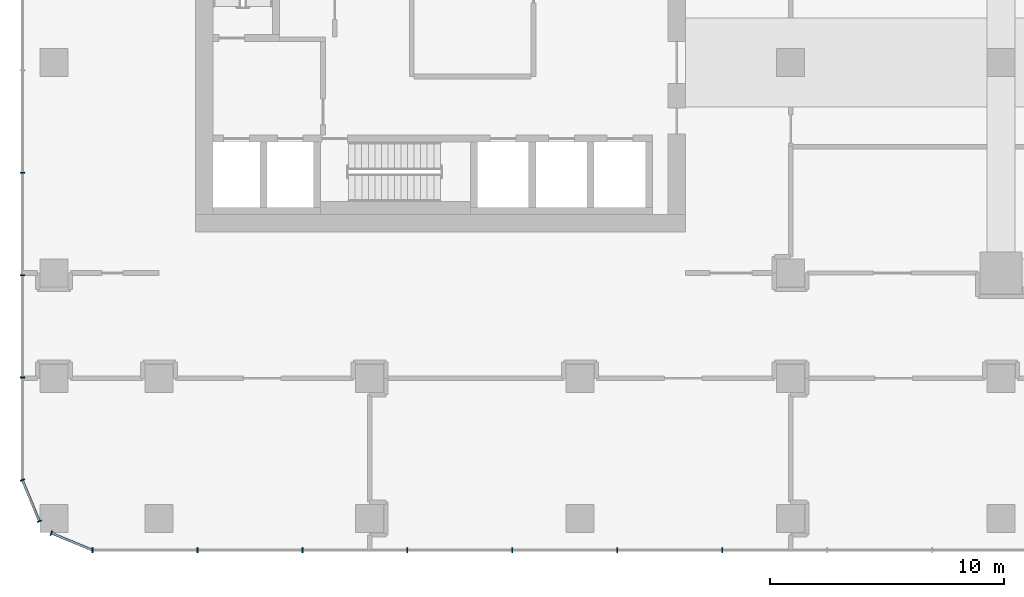
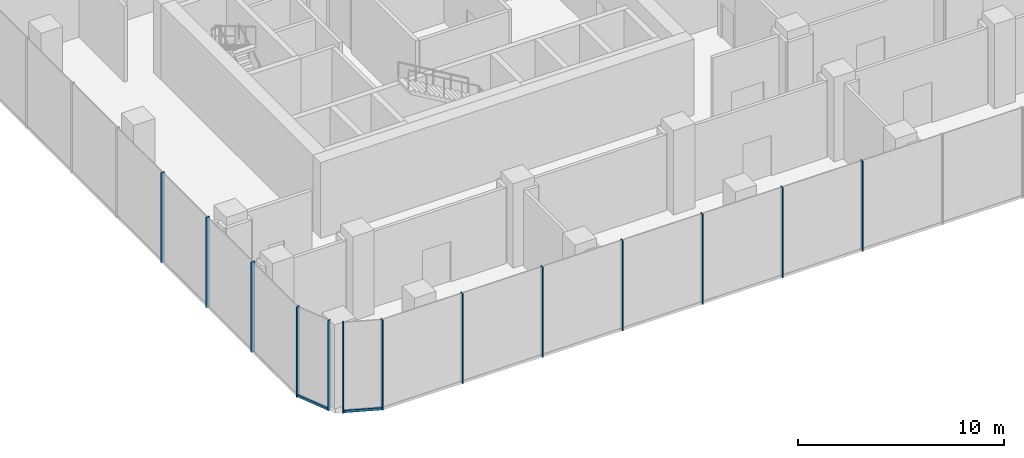
# One storey, part 2 of 36: 15 members, 4 elements without a shape of their own.
"""IFC4 building model written with IfcOpenShell, lengths in metres."""

from ifc_helpers import new_model, si_unit, direction, frame, origin, origin_2d, place, context, subcontext, project, spatial, rectangle, extrude, material, layer, layer_set, material_profile, profile_set, type_object, element, aggregate, save


model = new_model("IFC4")

# Units and contexts
model_context = context("Model", 3, precision=1e-05, world=origin(), true_north=direction((0.0, 1.0)))
body_context = subcontext(model_context, "Body", "Model", "MODEL_VIEW")
ifc_project = project(units=[si_unit("LENGTHUNIT", "METRE"), si_unit("AREAUNIT", "SQUARE_METRE"), si_unit("VOLUMEUNIT", "CUBIC_METRE"), si_unit("PLANEANGLEUNIT", "RADIAN"), si_unit("MASSUNIT", "GRAM", prefix="KILO")], contexts=[model_context])

# Site, building, storey
site_placement = place(None, origin())
site = spatial("IfcSite", under=ifc_project, at=site_placement, CompositionType="ELEMENT")
building_placement = place(site_placement, origin())
building = spatial("IfcBuilding", under=site, at=building_placement, Name="Plateau Cross Towers", CompositionType="ELEMENT")
storey_placement = place(building_placement, frame((0.0, 0.0, 21.800048828125)))
storey = spatial("IfcBuildingStorey", under=building, at=storey_placement, Name="L04", CompositionType="ELEMENT", Elevation=21.800048828125)

# Curtain wall, members
ifc_material_1 = material(Name="Dark low-iron laminated glass", Category="glass")
ifc_layer = layer(ifc_material_1, 0.300048828125)
ifc_layer_set = layer_set([ifc_layer], Name="Dark low-iron laminated glass")
curtain_wall_type = type_object("IfcCurtainWallType", Name="Curtain wall structural silicone CW-C", PredefinedType="NOTDEFINED", material=ifc_layer_set)
curtain_wall_1_placement = place(storey_placement, origin())
curtain_wall_1 = element("IfcCurtainWall", 1, at=curtain_wall_1_placement, inside=storey, type_object=curtain_wall_type, Name="ENV/P/L04/P-28_-118", PredefinedType="NOTDEFINED")
ifc_material_2 = material(Name="Black anodised aluminium", Category="aluminium")
ifc_material_profile_1 = material_profile(ifc_material_2, rectangle(XDim=0.050048828125, YDim=0.199951171875, at=origin_2d()), Name="MULLION 50x200")
ifc_profile_set_1 = profile_set([ifc_material_profile_1], Name="Black anodised aluminium")
member_type_1 = type_object("IfcMemberType", Name="Mullion 50x200 structural silicone", PredefinedType="MULLION", material=ifc_profile_set_1)
member_1_placement = place(storey_placement, frame((-2.85009765625, -11.85009765625, -0.35009765625), z_axis=(0.0, 0.0, 1.0), x_axis=(1.0, 0.0, 0.0)))
member_1 = element("IfcMember", 2, at=member_1_placement, type_object=member_type_1, Name="CW-C mullion 1", PredefinedType="MULLION", context=body_context, shape_type="SweptSolid", body=[
    extrude(rectangle(XDim=0.050048828125, YDim=0.199951171875, at=origin_2d()), origin(), (0.0, 0.0, 1.0), 5.35009765625),
])
member_2_placement = place(storey_placement, frame((1.637451171875, -11.85009765625, -0.35009765625), z_axis=(0.0, 0.0, 1.0), x_axis=(1.0, 0.0, 0.0)))
member_2 = element("IfcMember", 3, at=member_2_placement, type_object=member_type_1, Name="CW-C mullion 2", PredefinedType="MULLION", context=body_context, shape_type="SweptSolid", body=[
    extrude(rectangle(XDim=0.050048828125, YDim=0.199951171875, at=origin_2d()), origin(), (0.0, 0.0, 1.0), 5.35009765625),
])
member_3_placement = place(storey_placement, frame((6.125, -11.85009765625, -0.35009765625), z_axis=(0.0, 0.0, 1.0), x_axis=(1.0, 0.0, 0.0)))
member_3 = element("IfcMember", 4, at=member_3_placement, type_object=member_type_1, Name="CW-C mullion 3", PredefinedType="MULLION", context=body_context, shape_type="SweptSolid", body=[
    extrude(rectangle(XDim=0.050048828125, YDim=0.199951171875, at=origin_2d()), origin(), (0.0, 0.0, 1.0), 5.35009765625),
])
member_4_placement = place(storey_placement, frame((10.612548828125, -11.85009765625, -0.35009765625), z_axis=(0.0, 0.0, 1.0), x_axis=(1.0, 0.0, 0.0)))
member_4 = element("IfcMember", 5, at=member_4_placement, type_object=member_type_1, Name="CW-C mullion 4", PredefinedType="MULLION", context=body_context, shape_type="SweptSolid", body=[
    extrude(rectangle(XDim=0.050048828125, YDim=0.199951171875, at=origin_2d()), origin(), (0.0, 0.0, 1.0), 5.35009765625),
])
member_5_placement = place(storey_placement, frame((15.10009765625, -11.85009765625, -0.35009765625), z_axis=(0.0, 0.0, 1.0), x_axis=(1.0, 0.0, 0.0)))
member_5 = element("IfcMember", 6, at=member_5_placement, type_object=member_type_1, Name="CW-C mullion 5", PredefinedType="MULLION", context=body_context, shape_type="SweptSolid", body=[
    extrude(rectangle(XDim=0.050048828125, YDim=0.199951171875, at=origin_2d()), origin(), (0.0, 0.0, 1.0), 5.35009765625),
])
member_6_placement = place(storey_placement, frame((19.58740234375, -11.85009765625, -0.35009765625), z_axis=(0.0, 0.0, 1.0), x_axis=(1.0, 0.0, 0.0)))
member_6 = element("IfcMember", 7, at=member_6_placement, type_object=member_type_1, Name="CW-C mullion 6", PredefinedType="MULLION", context=body_context, shape_type="SweptSolid", body=[
    extrude(rectangle(XDim=0.050048828125, YDim=0.199951171875, at=origin_2d()), origin(), (0.0, 0.0, 1.0), 5.35009765625),
])
member_7_placement = place(storey_placement, frame((24.074951171875, -11.85009765625, -0.35009765625), z_axis=(0.0, 0.0, 1.0), x_axis=(1.0, 0.0, 0.0)))
member_7 = element("IfcMember", 8, at=member_7_placement, type_object=member_type_1, Name="CW-C mullion 7", PredefinedType="MULLION", context=body_context, shape_type="SweptSolid", body=[
    extrude(rectangle(XDim=0.050048828125, YDim=0.199951171875, at=origin_2d()), origin(), (0.0, 0.0, 1.0), 5.35009765625),
])
aggregate(curtain_wall_1, [member_1, member_2, member_3, member_4, member_5, member_6, member_7])

curtain_wall_2_placement = place(storey_placement, origin())
curtain_wall_2 = element("IfcCurtainWall", 9, at=curtain_wall_2_placement, inside=storey, type_object=curtain_wall_type, Name="ENV/P/L04/P-58_568", PredefinedType="NOTDEFINED")
member_8_placement = place(storey_placement, frame((-5.85009765625, 4.2900390625, -0.35009765625), z_axis=(0.0, 0.0, 1.0), x_axis=(0.0, -1.0, 0.0)))
member_8 = element("IfcMember", 10, at=member_8_placement, type_object=member_type_1, Name="CW-C mullion 13", PredefinedType="MULLION", context=body_context, shape_type="SweptSolid", body=[
    extrude(rectangle(XDim=0.050048828125, YDim=0.199951171875, at=origin_2d()), origin(), (0.0, 0.0, 1.0), 5.35009765625),
])
member_9_placement = place(storey_placement, frame((-5.85009765625, -0.090087890625, -0.35009765625), z_axis=(0.0, 0.0, 1.0), x_axis=(0.0, -1.0, 0.0)))
member_9 = element("IfcMember", 11, at=member_9_placement, type_object=member_type_1, Name="CW-C mullion 14", PredefinedType="MULLION", context=body_context, shape_type="SweptSolid", body=[
    extrude(rectangle(XDim=0.050048828125, YDim=0.199951171875, at=origin_2d()), origin(), (0.0, 0.0, 1.0), 5.35009765625),
])
member_10_placement = place(storey_placement, frame((-5.85009765625, -4.469970703125, -0.35009765625), z_axis=(0.0, 0.0, 1.0), x_axis=(0.0, -1.0, 0.0)))
member_10 = element("IfcMember", 12, at=member_10_placement, type_object=member_type_1, Name="CW-C mullion 15", PredefinedType="MULLION", context=body_context, shape_type="SweptSolid", body=[
    extrude(rectangle(XDim=0.050048828125, YDim=0.199951171875, at=origin_2d()), origin(), (0.0, 0.0, 1.0), 5.35009765625),
])
aggregate(curtain_wall_2, [member_8, member_9, member_10])

curtain_wall_3_placement = place(storey_placement, origin())
curtain_wall_3 = element("IfcCurtainWall", 13, at=curtain_wall_3_placement, inside=storey, type_object=curtain_wall_type, Name="ENV/P/L04/P-58_-88", PredefinedType="NOTDEFINED")
member_11_placement = place(storey_placement, frame((-5.85009765625, -8.85009765625, -0.35009765625), z_axis=(0.0, 0.0, 1.0), x_axis=(0.382683612978, -0.923879457699, 0.0)))
member_11 = element("IfcMember", 14, at=member_11_placement, type_object=member_type_1, Name="CW-C mullion 1", PredefinedType="MULLION", context=body_context, shape_type="SweptSolid", body=[
    extrude(rectangle(XDim=0.050048828125, YDim=0.199951171875, at=origin_2d()), origin(), (0.0, 0.0, 1.0), 5.35009765625),
])
member_12_placement = place(storey_placement, frame((-5.1201171875, -10.6123046875, -0.35009765625), z_axis=(0.0, 0.0, 1.0), x_axis=(0.382683612978, -0.923879457699, 0.0)))
member_12 = element("IfcMember", 15, at=member_12_placement, type_object=member_type_1, Name="CW-C mullion 2", PredefinedType="MULLION", context=body_context, shape_type="SweptSolid", body=[
    extrude(rectangle(XDim=0.050048828125, YDim=0.199951171875, at=origin_2d()), origin(), (0.0, 0.0, 1.0), 5.35009765625),
])

# Curtain wall, member
curtain_wall_4_placement = place(storey_placement, origin())
curtain_wall_4 = element("IfcCurtainWall", 16, at=curtain_wall_4_placement, inside=storey, type_object=curtain_wall_type, Name="ENV/P/L04/P-46_-111", PredefinedType="NOTDEFINED")
member_13_placement = place(storey_placement, frame((-4.6123046875, -11.1201171875, -0.35009765625), z_axis=(0.0, 0.0, 1.0), x_axis=(0.923879457699, -0.382683612978, 0.0)))
member_13 = element("IfcMember", 17, at=member_13_placement, type_object=member_type_1, Name="CW-C mullion 1", PredefinedType="MULLION", context=body_context, shape_type="SweptSolid", body=[
    extrude(rectangle(XDim=0.050048828125, YDim=0.199951171875, at=origin_2d()), origin(), (0.0, 0.0, 1.0), 5.35009765625),
])

# Member
ifc_material_profile_2 = material_profile(ifc_material_2, rectangle(XDim=0.10009765625, YDim=0.14990234375, at=origin_2d()), Name="TRANSOM 100x150")
ifc_profile_set_2 = profile_set([ifc_material_profile_2], Name="Black anodised aluminium")
member_type_2 = type_object("IfcMemberType", Name="Transom 100x150 structural silicone", PredefinedType="USERDEFINED", material=ifc_profile_set_2)
member_14_placement = place(storey_placement, frame((-5.85009765625, -8.85009765625, -0.275146484375), z_axis=(0.38270599329, -0.923870187147, 0.0), x_axis=(0.923870187147, 0.38270599329, 0.0)))
member_14 = element("IfcMember", 18, at=member_14_placement, type_object=member_type_2, Name="CW-C transom", ObjectType="TRANSOM", PredefinedType="USERDEFINED", context=body_context, shape_type="SweptSolid", body=[
    extrude(rectangle(XDim=0.10009765625, YDim=0.14990234375, at=origin_2d()), origin(), (0.0, 0.0, 1.0), 1.907470703125),
])

aggregate(curtain_wall_3, [member_11, member_12, member_14])

member_15_placement = place(storey_placement, frame((-4.6123046875, -11.1201171875, -0.275146484375), z_axis=(0.923870187147, -0.38270599329, 0.0), x_axis=(0.38270599329, 0.923870187147, 0.0)))
member_15 = element("IfcMember", 19, at=member_15_placement, type_object=member_type_2, Name="CW-C transom", ObjectType="TRANSOM", PredefinedType="USERDEFINED", context=body_context, shape_type="SweptSolid", body=[
    extrude(rectangle(XDim=0.10009765625, YDim=0.14990234375, at=origin_2d()), origin(), (0.0, 0.0, 1.0), 1.907470703125),
])

aggregate(curtain_wall_4, [member_13, member_15])

save(model, "model.ifc")
